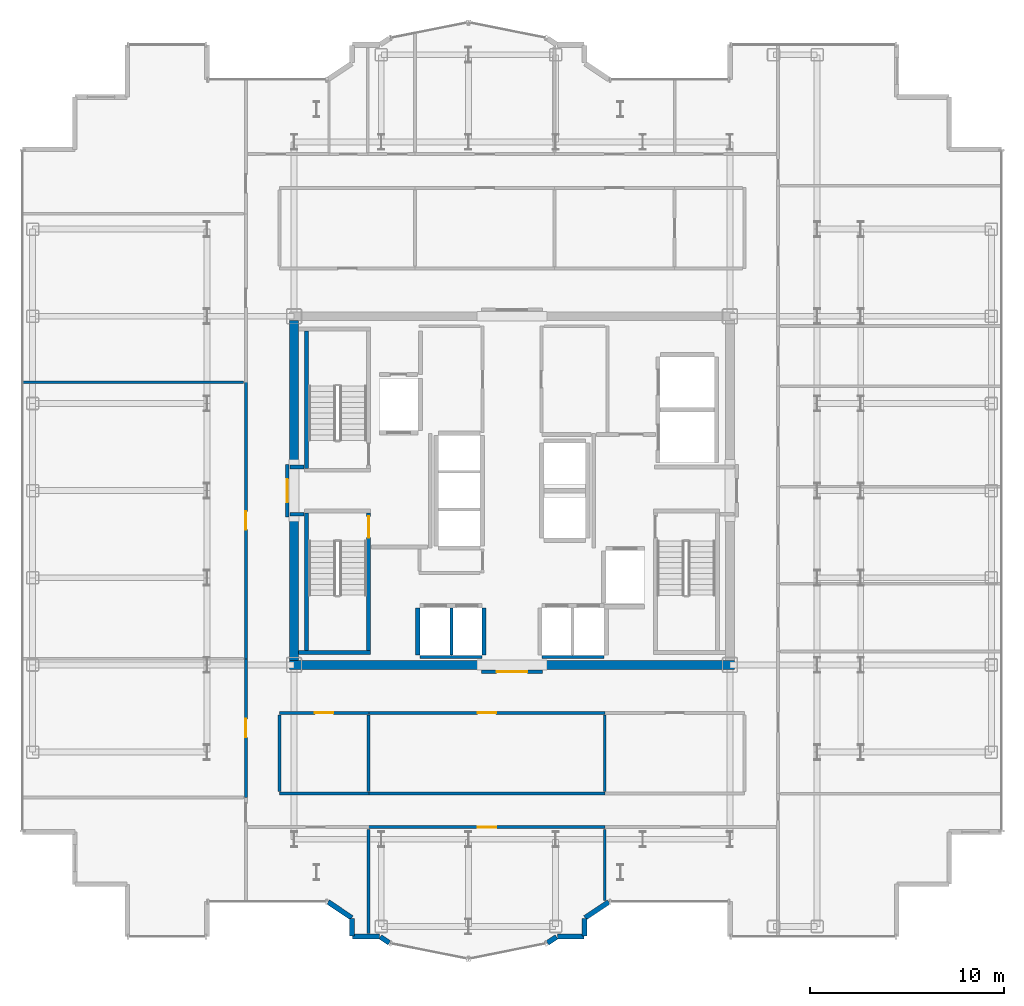
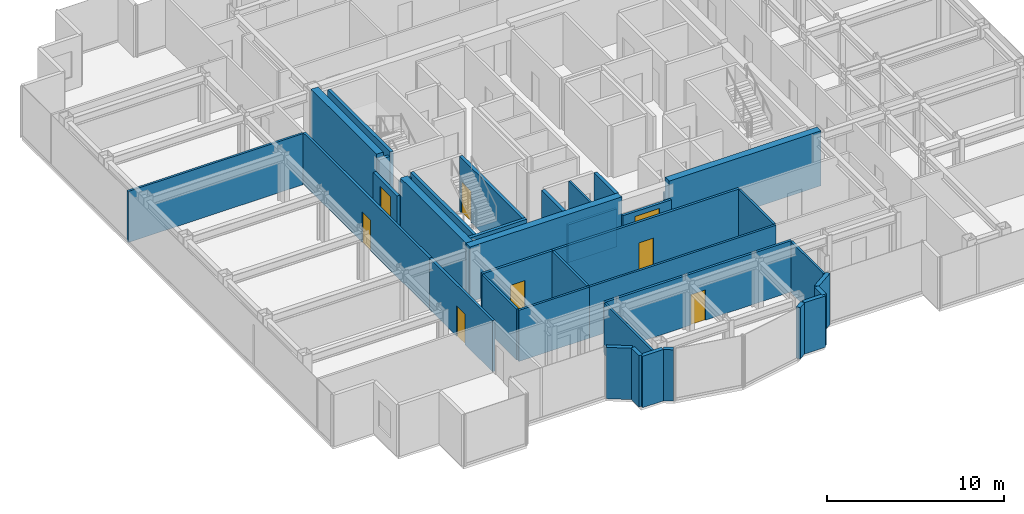
# One storey, part 14 of 20: 38 walls, 8 doors, 8 openings.
"""IFC4 building model written with IfcOpenShell, lengths in metres."""

from ifc_helpers import new_model, si_unit, direction, frame, frame_2d, origin, place, context, subcontext, project, spatial, rectangle, extrude, source, transform, mapped, material, layer, layer_set, type_object, element, fill, save


model = new_model("IFC4")

# Units and contexts
model_context = context("Model", 3, precision=1e-05, world=origin(), true_north=direction((0.0, 1.0)))
body_context = subcontext(model_context, "Body", "Model", "MODEL_VIEW")
ifc_project = project(units=[si_unit("LENGTHUNIT", "METRE"), si_unit("AREAUNIT", "SQUARE_METRE"), si_unit("VOLUMEUNIT", "CUBIC_METRE"), si_unit("PLANEANGLEUNIT", "RADIAN"), si_unit("MASSUNIT", "GRAM", prefix="KILO")], contexts=[model_context])

# Site, building, storey
site_placement = place(None, origin())
site = spatial("IfcSite", under=ifc_project, at=site_placement, CompositionType="ELEMENT")
building_placement = place(site_placement, origin())
building = spatial("IfcBuilding", under=site, at=building_placement, Name="Nefas-Gora Pilgrimage Tower", CompositionType="ELEMENT")
storey_placement = place(building_placement, frame((0.0, 0.0, 244.60009765625)))
storey = spatial("IfcBuildingStorey", under=building, at=storey_placement, Name="L61", CompositionType="ELEMENT", Elevation=244.60009765625)

# Walls
ifc_material_1 = material(Name="Concrete C50/60", Category="concrete")
ifc_layer_1 = layer(ifc_material_1, 0.449951171875)
ifc_layer_set_1 = layer_set([ifc_layer_1], Name="Concrete C50/60")
wall_type_1 = type_object("IfcWallType", Name="SW-CORE-450", PredefinedType="SHEAR", material=ifc_layer_set_1)
shared_shape_1 = source(origin(), body_context, "Body", "SweptSolid", [
    extrude(rectangle(XDim=9.925048828125, YDim=0.449951171875, at=frame_2d((4.96240234375, 0.0))), origin(), (0.0, 0.0, 1.0), 3.7998046875),
])
for number, where, z_axis, x_axis, name in (
    (1, (-11.47509765625, -9.0, 0.0), (0.0, 0.0, 1.0), (1.0, 0.0, 0.0), "L61 Core Shear Wall S-West"),
    (2, (1.550048828125, -9.0, 0.0), (0.0, 0.0, 1.0), (1.0, 0.0, 0.0), "L61 Core Shear Wall S-East"),
):
    element("IfcWall", number, at=place(storey_placement, frame(where, z_axis=z_axis, x_axis=x_axis)), inside=storey, type_object=wall_type_1, Name=name, PredefinedType="SHEAR", context=body_context, shape_type="MappedRepresentation", body=[
        mapped(shared_shape_1, transform((0.0, 0.0, 0.0), x_axis=(1.0, 0.0, 0.0), y_axis=(0.0, 1.0, 0.0), z_axis=(0.0, 0.0, 1.0), scale=1.0)),
    ])
shared_shape_2 = source(origin(), body_context, "Body", "SweptSolid", [
    extrude(rectangle(XDim=7.4248046875, YDim=0.449951171875, at=frame_2d((3.71240234375, 0.0))), origin(), (0.0, 0.0, 1.0), 3.7998046875),
])
for number, where, z_axis, x_axis, name in (
    (3, (-11.25, -8.77490234375, 0.0), (0.0, 0.0, 1.0), (0.0, 1.0, 0.0), "L61 Core Shear Wall W-South"),
    (4, (-11.25, 1.35009765625, 0.0), (0.0, 0.0, 1.0), (0.0, 1.0, 0.0), "L61 Core Shear Wall W-North"),
):
    element("IfcWall", number, at=place(storey_placement, frame(where, z_axis=z_axis, x_axis=x_axis)), inside=storey, type_object=wall_type_1, Name=name, PredefinedType="SHEAR", context=body_context, shape_type="MappedRepresentation", body=[
        mapped(shared_shape_2, transform((0.0, 0.0, 0.0), x_axis=(1.0, 0.0, 0.0), y_axis=(0.0, 1.0, 0.0), z_axis=(0.0, 0.0, 1.0), scale=1.0)),
    ])
ifc_material_2 = material(Name="Precast concrete C40/50", Category="concrete")
ifc_layer_2 = layer(ifc_material_2, 0.260009765625)
ifc_layer_set_2 = layer_set([ifc_layer_2], Name="Precast concrete C40/50")
wall_type_2 = type_object("IfcWallType", Name="EW-PORTAL-260", PredefinedType="SOLIDWALL", material=ifc_layer_set_2)
shared_shape_3 = source(origin(), body_context, "Body", "SweptSolid", [
    extrude(rectangle(XDim=1.468994140625, YDim=0.260009765625, at=frame_2d((0.734375, 0.0))), origin(), (0.0, 0.0, 1.0), 3.5498046875),
])
for number, where, z_axis, x_axis, name in (
    (5, (-9.49462890625, -21.235595703125, 0.0), (0.0, 0.0, 1.0), (0.831461760506, -0.555581983884, 0.0), "L61 Lobe Shoulder Precast Spandrel Pier 29"),
    (6, (3.773193359375, -22.0517578125, 0.0), (0.0, 0.0, 1.0), (0.831461760506, 0.555581983884, 0.0), "L61 Lobe Shoulder Precast Spandrel Pier 36"),
):
    element("IfcWall", number, at=place(storey_placement, frame(where, z_axis=z_axis, x_axis=x_axis)), inside=storey, type_object=wall_type_2, Name=name, PredefinedType="SOLIDWALL", context=body_context, shape_type="MappedRepresentation", body=[
        mapped(shared_shape_3, transform((0.0, 0.0, 0.0), x_axis=(1.0, 0.0, 0.0), y_axis=(0.0, 1.0, 0.0), z_axis=(0.0, 0.0, 1.0), scale=1.0)),
    ])
shared_shape_4 = source(origin(), body_context, "Body", "SweptSolid", [
    extrude(rectangle(XDim=0.896728515625, YDim=0.260009765625, at=frame_2d((0.4482421875, 0.0))), origin(), (0.0, 0.0, 1.0), 3.5498046875),
])
for number, where, z_axis, x_axis, name in (
    (7, (-8.25, -22.09521484375, 0.0), (0.0, 0.0, 1.0), (0.0, -1.0, 0.0), "L61 Lobe Shoulder Precast Spandrel Pier 30"),
    (8, (3.75, -22.991943359375, 0.0), (0.0, 0.0, 1.0), (0.0, 1.0, 0.0), "L61 Lobe Shoulder Precast Spandrel Pier 35"),
):
    element("IfcWall", number, at=place(storey_placement, frame(where, z_axis=z_axis, x_axis=x_axis)), inside=storey, type_object=wall_type_2, Name=name, PredefinedType="SOLIDWALL", context=body_context, shape_type="MappedRepresentation", body=[
        mapped(shared_shape_4, transform((0.0, 0.0, 0.0), x_axis=(1.0, 0.0, 0.0), y_axis=(0.0, 1.0, 0.0), z_axis=(0.0, 0.0, 1.0), scale=1.0)),
    ])
shared_shape_5 = source(origin(), body_context, "Body", "SweptSolid", [
    extrude(rectangle(XDim=1.369873046875, YDim=0.260009765625, at=frame_2d((0.68505859375, 0.0))), origin(), (0.0, 0.0, 1.0), 3.5498046875),
])
for number, where, z_axis, x_axis, name in (
    (9, (-8.221923828125, -23.02001953125, 0.0), (0.0, 0.0, 1.0), (1.0, 0.0, 0.0), "L61 Lobe Shoulder Precast Spandrel Pier 31"),
    (10, (2.35205078125, -23.02001953125, 0.0), (0.0, 0.0, 1.0), (1.0, 0.0, 0.0), "L61 Lobe Shoulder Precast Spandrel Pier 34"),
):
    element("IfcWall", number, at=place(storey_placement, frame(where, z_axis=z_axis, x_axis=x_axis)), inside=storey, type_object=wall_type_2, Name=name, PredefinedType="SOLIDWALL", context=body_context, shape_type="MappedRepresentation", body=[
        mapped(shared_shape_5, transform((0.0, 0.0, 0.0), x_axis=(1.0, 0.0, 0.0), y_axis=(0.0, 1.0, 0.0), z_axis=(0.0, 0.0, 1.0), scale=1.0)),
    ])
shared_shape_6 = source(origin(), body_context, "Body", "SweptSolid", [
    extrude(rectangle(XDim=0.5654296875, YDim=0.260009765625, at=frame_2d((0.28271484375, 0.0))), origin(), (0.0, 0.0, 1.0), 3.5498046875),
])
for number, where, z_axis, x_axis, name in (
    (11, (-6.80078125, -23.03564453125, 0.0), (0.0, 0.0, 1.0), (0.831651492666, -0.555297933317, 0.0), "L61 Lobe Shoulder Precast Spandrel Pier 32"),
    (12, (1.83056640625, -23.349609375, 0.0), (0.0, 0.0, 1.0), (0.831651492666, 0.555297933317, 0.0), "L61 Lobe Shoulder Precast Spandrel Pier 33"),
):
    element("IfcWall", number, at=place(storey_placement, frame(where, z_axis=z_axis, x_axis=x_axis)), inside=storey, type_object=wall_type_2, Name=name, PredefinedType="SOLIDWALL", context=body_context, shape_type="MappedRepresentation", body=[
        mapped(shared_shape_6, transform((0.0, 0.0, 0.0), x_axis=(1.0, 0.0, 0.0), y_axis=(0.0, 1.0, 0.0), z_axis=(0.0, 0.0, 1.0), scale=1.0)),
    ])
ifc_material_3 = material(Name="Concrete C45/55", Category="concrete")
ifc_layer_3 = layer(ifc_material_3, 0.199951171875)
ifc_layer_set_3 = layer_set([ifc_layer_3], Name="Concrete C45/55")
wall_type_3 = type_object("IfcWallType", Name="IW-STAIR-200", PredefinedType="SOLIDWALL", material=ifc_layer_set_3)
shared_shape_7 = source(origin(), body_context, "Body", "SweptSolid", [
    extrude(rectangle(XDim=7.10009765625, YDim=0.199951171875, at=frame_2d((3.550048828125, 0.0))), origin(), (0.0, 0.0, 1.0), 3.7998046875),
])
for number, where, z_axis, x_axis, name in (
    (13, (-10.60009765625, 1.14990234375, 0.0), (0.0, 0.0, 1.0), (0.0, 1.0, 0.0), "L61 Stairwell Shear Wall ST-01-right"),
    (14, (-10.60009765625, -1.14990234375, 0.0), (0.0, 0.0, 1.0), (0.0, -1.0, 0.0), "L61 Stairwell Shear Wall ST-03-left"),
):
    element("IfcWall", number, at=place(storey_placement, frame(where, z_axis=z_axis, x_axis=x_axis)), inside=storey, type_object=wall_type_3, Name=name, PredefinedType="SOLIDWALL", context=body_context, shape_type="MappedRepresentation", body=[
        mapped(shared_shape_7, transform((0.0, 0.0, 0.0), x_axis=(1.0, 0.0, 0.0), y_axis=(0.0, 1.0, 0.0), z_axis=(0.0, 0.0, 1.0), scale=1.0)),
    ])

# Wall, opening, door
wall_1_placement = place(storey_placement, frame((-7.39990234375, -1.14990234375, 0.0), z_axis=(0.0, 0.0, 1.0), x_axis=(0.0, -1.0, 0.0)))
wall_1 = element("IfcWall", 15, at=wall_1_placement, inside=storey, type_object=wall_type_3, Name="L61 Stairwell Shear Wall ST-03-right", PredefinedType="SOLIDWALL", context=body_context, shape_type="MappedRepresentation", body=[
    mapped(shared_shape_7, transform((0.0, 0.0, 0.0), x_axis=(1.0, 0.0, 0.0), y_axis=(0.0, 1.0, 0.0), z_axis=(0.0, 0.0, 1.0), scale=1.0)),
])
opening_1_placement = place(wall_1_placement, frame((0.179931640625, 0.0, 0.0)))
opening_1 = element("IfcOpeningElement", 16, at=opening_1_placement, cuts=wall_1, Name="Opening ID-ST1", PredefinedType="OPENING", context=body_context, shape_type="SweptSolid", body=[
    extrude(rectangle(XDim=1.10009765625, YDim=2.14990234375, at=frame_2d((0.550048828125, 1.074951171875))), frame((0.0, 0.10986328125, 0.0), z_axis=(0.0, -1.0, 0.0), x_axis=(1.0, 0.0, 0.0)), (0.0, 0.0, 1.0), 0.219970703125),
])
ifc_material_4 = material(Name="Painted galvanised steel fire stair door", Category="steel")
door_type_1 = type_object("IfcDoorType", Name="DR-INT-STAIR-1100", OperationType="NOTDEFINED", PredefinedType="DOOR", material=ifc_material_4)
shared_shape_8 = source(origin(), body_context, "Body", "SweptSolid", [
    extrude(rectangle(XDim=1.10009765625, YDim=2.14990234375, at=frame_2d((0.550048828125, 1.074951171875))), frame((0.0, 0.02490234375, 0.0), z_axis=(0.0, -1.0, 0.0), x_axis=(1.0, 0.0, 0.0)), (0.0, 0.0, 1.0), 0.050048828125),
])
door_1_placement = place(opening_1_placement, origin())
door_1 = element("IfcDoor", 17, at=door_1_placement, inside=storey, type_object=door_type_1, Name="L61 Protected Exit Stair Door ST-03", OperationType="SINGLE_SWING_LEFT", OverallHeight=2.14990234375, OverallWidth=1.10009765625, PredefinedType="DOOR", context=body_context, shape_type="MappedRepresentation", body=[
    mapped(shared_shape_8, transform((0.0, 0.0, 0.0), x_axis=(1.0, 0.0, 0.0), y_axis=(0.0, 1.0, 0.0), z_axis=(0.0, 0.0, 1.0), scale=1.0)),
])
fill(opening_1, door_1)

# Walls
shared_shape_9 = source(origin(), body_context, "Body", "SweptSolid", [
    extrude(rectangle(XDim=3.72998046875, YDim=0.199951171875, at=frame_2d((1.864990234375, 0.0))), origin(), (0.0, 0.0, 1.0), 3.7998046875),
])
wall_2_placement = place(storey_placement, frame((-11.030029296875, -8.35009765625, 0.0), z_axis=(0.0, 0.0, 1.0), x_axis=(1.0, 0.0, 0.0)))
element("IfcWall", 18, at=wall_2_placement, inside=storey, type_object=wall_type_3, Name="L61 Stairwell Shear Wall ST-03-far", PredefinedType="SOLIDWALL", context=body_context, shape_type="MappedRepresentation", body=[
    mapped(shared_shape_9, transform((0.0, 0.0, 0.0), x_axis=(1.0, 0.0, 0.0), y_axis=(0.0, 1.0, 0.0), z_axis=(0.0, 0.0, 1.0), scale=1.0)),
])
ifc_material_5 = material(Name="Concrete C40/50", Category="concrete")
ifc_layer_4 = layer(ifc_material_5, 0.219970703125)
ifc_layer_set_4 = layer_set([ifc_layer_4], Name="Concrete C40/50")
wall_type_4 = type_object("IfcWallType", Name="IW-SHAFT-220", PredefinedType="SOLIDWALL", material=ifc_layer_set_4)
shared_shape_10 = source(origin(), body_context, "Body", "SweptSolid", [
    extrude(rectangle(XDim=2.429931640625, YDim=0.219970703125, at=frame_2d((1.21484375, 0.0))), origin(), (0.0, 0.0, 1.0), 3.534912109375),
])
for number, where, z_axis, x_axis, name in (
    (19, (-4.860107421875, -6.06005859375, 0.0), (0.0, 0.0, 1.0), (0.0, -1.0, 0.0), "L61 Hoistway Wall PL2-W-W"),
    (20, (-1.43994140625, -8.489990234375, 0.0), (0.0, 0.0, 1.0), (0.0, 1.0, 0.0), "L61 Hoistway Wall PL2-W-E"),
):
    element("IfcWall", number, at=place(storey_placement, frame(where, z_axis=z_axis, x_axis=x_axis)), inside=storey, type_object=wall_type_4, Name=name, PredefinedType="SOLIDWALL", context=body_context, shape_type="MappedRepresentation", body=[
        mapped(shared_shape_10, transform((0.0, 0.0, 0.0), x_axis=(1.0, 0.0, 0.0), y_axis=(0.0, 1.0, 0.0), z_axis=(0.0, 0.0, 1.0), scale=1.0)),
    ])
ifc_material_6 = material(Name="Gypsum twin-stud partition")
ifc_layer_5 = layer(ifc_material_6, 0.139892578125)
ifc_layer_set_5 = layer_set([ifc_layer_5], Name="Gypsum twin-stud partition")
wall_type_5 = type_object("IfcWallType", Name="IW-UNIT-140", PredefinedType="PARTITIONING", material=ifc_layer_set_5)
shared_shape_11 = source(origin(), body_context, "Body", "SweptSolid", [
    extrude(rectangle(XDim=2.429931640625, YDim=0.139892578125, at=frame_2d((1.21484375, 0.0))), origin(), (0.0, 0.0, 1.0), 3.534912109375),
])
wall_3_placement = place(storey_placement, frame((-3.125, -8.489990234375, 0.0), z_axis=(0.0, 0.0, 1.0), x_axis=(0.0, 1.0, 0.0)))
element("IfcWall", 21, at=wall_3_placement, inside=storey, type_object=wall_type_5, Name="L61 Hoistway Wall PL2-W-DIV", PredefinedType="PARTITIONING", context=body_context, shape_type="MappedRepresentation", body=[
    mapped(shared_shape_11, transform((0.0, 0.0, 0.0), x_axis=(1.0, 0.0, 0.0), y_axis=(0.0, 1.0, 0.0), z_axis=(0.0, 0.0, 1.0), scale=1.0)),
])
ifc_material_7 = material(Name="Gypsum acoustic stud partition")
ifc_layer_6 = layer(ifc_material_7, 0.159912109375)
ifc_layer_set_6 = layer_set([ifc_layer_6], Name="Gypsum acoustic stud partition")
wall_type_6 = type_object("IfcWallType", Name="IW-CORR-160", PredefinedType="PARTITIONING", material=ifc_layer_set_6)
shared_shape_12 = source(origin(), body_context, "Body", "SweptSolid", [
    extrude(rectangle(XDim=3.199951171875, YDim=0.159912109375, at=frame_2d((1.60009765625, 0.0))), origin(), (0.0, 0.0, 1.0), 2.625),
])
for number, where, z_axis, x_axis, name in (
    (22, (-4.75, -8.580078125, 0.0), (0.0, 0.0, 1.0), (1.0, 0.0, 0.0), "L61 Hoistway Wall PL2-W-S"),
    (23, (1.550048828125, -8.580078125, 0.0), (0.0, 0.0, 1.0), (1.0, 0.0, 0.0), "L61 Hoistway Wall PL2-E-S"),
):
    element("IfcWall", number, at=place(storey_placement, frame(where, z_axis=z_axis, x_axis=x_axis)), inside=storey, type_object=wall_type_6, Name=name, PredefinedType="PARTITIONING", context=body_context, shape_type="MappedRepresentation", body=[
        mapped(shared_shape_12, transform((0.0, 0.0, 0.0), x_axis=(1.0, 0.0, 0.0), y_axis=(0.0, 1.0, 0.0), z_axis=(0.0, 0.0, 1.0), scale=1.0)),
    ])
ifc_material_8 = material(Name="Gypsum fire-rated shaftwall")
ifc_layer_7 = layer(ifc_material_8, 0.199951171875)
ifc_layer_set_7 = layer_set([ifc_layer_7], Name="Gypsum fire-rated shaftwall")
wall_type_7 = type_object("IfcWallType", Name="IW-FFLOB-200", PredefinedType="PARTITIONING", material=ifc_layer_set_7)
shared_shape_13 = source(origin(), body_context, "Body", "SweptSolid", [
    extrude(rectangle(XDim=0.719970703125, YDim=0.199951171875, at=frame_2d((0.35986328125, 0.0))), origin(), (0.0, 0.0, 1.0), 3.534912109375),
])
for number, where, z_axis, x_axis, name in (
    (24, (-11.4599609375, 1.219970703125, 0.0), (0.0, 0.0, 1.0), (1.0, 0.0, 0.0), "L61 FF Lobby West Throat N Wall 7"),
    (25, (-11.4599609375, -1.219970703125, 0.0), (0.0, 0.0, 1.0), (1.0, 0.0, 0.0), "L61 FF Lobby West Throat S Wall 8"),
):
    element("IfcWall", number, at=place(storey_placement, frame(where, z_axis=z_axis, x_axis=x_axis)), inside=storey, type_object=wall_type_7, Name=name, PredefinedType="PARTITIONING", context=body_context, shape_type="MappedRepresentation", body=[
        mapped(shared_shape_13, transform((0.0, 0.0, 0.0), x_axis=(1.0, 0.0, 0.0), y_axis=(0.0, 1.0, 0.0), z_axis=(0.0, 0.0, 1.0), scale=1.0)),
    ])
shared_shape_14 = source(origin(), body_context, "Body", "SweptSolid", [
    extrude(rectangle(XDim=11.429931640625, YDim=0.139892578125, at=frame_2d((5.71484375, 0.0))), origin(), (0.0, 0.0, 1.0), 3.534912109375),
])
wall_4_placement = place(storey_placement, frame((-25.2900390625, 5.594970703125, 0.0), z_axis=(0.0, 0.0, 1.0), x_axis=(1.0, 0.0, 0.0)))
element("IfcWall", 26, at=wall_4_placement, inside=storey, type_object=wall_type_5, Name="L61 Pilgrim Floor Concierge Foyer Partition Wall 30", PredefinedType="PARTITIONING", context=body_context, shape_type="MappedRepresentation", body=[
    mapped(shared_shape_14, transform((0.0, 0.0, 0.0), x_axis=(1.0, 0.0, 0.0), y_axis=(0.0, 1.0, 0.0), z_axis=(0.0, 0.0, 1.0), scale=1.0)),
])
shared_shape_15 = source(origin(), body_context, "Body", "SweptSolid", [
    extrude(rectangle(XDim=3.929931640625, YDim=0.139892578125, at=frame_2d((1.96484375, 0.0))), origin(), (0.0, 0.0, 1.0), 3.534912109375),
])
for number, where, z_axis, x_axis, name in (
    (27, (-12.0, -15.52001953125, 0.0), (0.0, 0.0, 1.0), (0.0, 1.0, 0.0), "L61 Pilgrim Contemplative Lounge Partition Wall 77"),
    (28, (-7.405029296875, -15.52001953125, 0.0), (0.0, 0.0, 1.0), (0.0, 1.0, 0.0), "L61 Pilgrim Contemplative Lounge Partition Wall 78"),
    (29, (4.794921875, -15.52001953125, 0.0), (0.0, 0.0, 1.0), (0.0, 1.0, 0.0), "L61 Pilgrim Contemplative Lounge Partition Wall 83"),
):
    element("IfcWall", number, at=place(storey_placement, frame(where, z_axis=z_axis, x_axis=x_axis)), inside=storey, type_object=wall_type_5, Name=name, PredefinedType="PARTITIONING", context=body_context, shape_type="MappedRepresentation", body=[
        mapped(shared_shape_15, transform((0.0, 0.0, 0.0), x_axis=(1.0, 0.0, 0.0), y_axis=(0.0, 1.0, 0.0), z_axis=(0.0, 0.0, 1.0), scale=1.0)),
    ])

# Wall, opening, door
shared_shape_16 = source(origin(), body_context, "Body", "SweptSolid", [
    extrude(rectangle(XDim=2.7001953125, YDim=0.199951171875, at=frame_2d((1.35009765625, 0.0))), origin(), (0.0, 0.0, 1.0), 2.625),
])
wall_5_placement = place(storey_placement, frame((-11.60009765625, -1.35009765625, 0.0), z_axis=(0.0, 0.0, 1.0), x_axis=(0.0, 1.0, 0.0)))
wall_5 = element("IfcWall", 30, at=wall_5_placement, inside=storey, type_object=wall_type_7, Name="L61 FF Lobby West Portal Wall 4", PredefinedType="PARTITIONING", context=body_context, shape_type="MappedRepresentation", body=[
    mapped(shared_shape_16, transform((0.0, 0.0, 0.0), x_axis=(1.0, 0.0, 0.0), y_axis=(0.0, 1.0, 0.0), z_axis=(0.0, 0.0, 1.0), scale=1.0)),
])
opening_2_placement = place(wall_5_placement, frame((0.75, 0.0, 0.0)))
opening_2 = element("IfcOpeningElement", 31, at=opening_2_placement, cuts=wall_5, Name="Opening ID-FF1", PredefinedType="OPENING", context=body_context, shape_type="SweptSolid", body=[
    extrude(rectangle(XDim=1.199951171875, YDim=2.14990234375, at=frame_2d((0.60009765625, 1.074951171875))), frame((0.0, 0.10986328125, 0.0), z_axis=(0.0, -1.0, 0.0), x_axis=(1.0, 0.0, 0.0)), (0.0, 0.0, 1.0), 0.219970703125),
])
ifc_material_9 = material(Name="Smoke-sealed steel firefighting lobby door", Category="steel")
door_type_2 = type_object("IfcDoorType", Name="DR-INT-FFLOB-1200", OperationType="NOTDEFINED", PredefinedType="DOOR", material=ifc_material_9)
shared_shape_17 = source(origin(), body_context, "Body", "SweptSolid", [
    extrude(rectangle(XDim=1.199951171875, YDim=2.14990234375, at=frame_2d((0.60009765625, 1.074951171875))), frame((0.0, 0.02490234375, 0.0), z_axis=(0.0, -1.0, 0.0), x_axis=(1.0, 0.0, 0.0)), (0.0, 0.0, 1.0), 0.050048828125),
])
door_2_placement = place(opening_2_placement, origin())
door_2 = element("IfcDoor", 32, at=door_2_placement, inside=storey, type_object=door_type_2, Name="L61 FF Lobby West Portal Door 2", OperationType="SINGLE_SWING_RIGHT", OverallHeight=2.14990234375, OverallWidth=1.199951171875, PredefinedType="DOOR", context=body_context, shape_type="MappedRepresentation", body=[
    mapped(shared_shape_17, transform((0.0, 0.0, 0.0), x_axis=(1.0, 0.0, 0.0), y_axis=(0.0, 1.0, 0.0), z_axis=(0.0, 0.0, 1.0), scale=1.0)),
])
fill(opening_2, door_2)

shared_shape_18 = source(origin(), body_context, "Body", "SweptSolid", [
    extrude(rectangle(XDim=3.16015625, YDim=0.159912109375, at=frame_2d((1.580078125, 0.0))), origin(), (0.0, 0.0, 1.0), 2.625),
])
wall_6_placement = place(storey_placement, frame((-1.580078125, -9.35009765625, 0.0), z_axis=(0.0, 0.0, 1.0), x_axis=(1.0, 0.0, 0.0)))
wall_6 = element("IfcWall", 33, at=wall_6_placement, inside=storey, type_object=wall_type_6, Name="L61 Central Lift Lobby South Portal Wall 16", PredefinedType="PARTITIONING", context=body_context, shape_type="MappedRepresentation", body=[
    mapped(shared_shape_18, transform((0.0, 0.0, 0.0), x_axis=(1.0, 0.0, 0.0), y_axis=(0.0, 1.0, 0.0), z_axis=(0.0, 0.0, 1.0), scale=1.0)),
])
opening_3_placement = place(wall_6_placement, frame((0.780029296875, 0.0, 0.0)))
opening_3 = element("IfcOpeningElement", 34, at=opening_3_placement, cuts=wall_6, Name="Opening ID-HL1", PredefinedType="OPENING", context=body_context, shape_type="SweptSolid", body=[
    extrude(rectangle(XDim=1.60009765625, YDim=2.300048828125, at=frame_2d((0.800048828125, 1.14990234375))), frame((0.0, 0.08984375, 0.0), z_axis=(0.0, -1.0, 0.0), x_axis=(1.0, 0.0, 0.0)), (0.0, 0.0, 1.0), 0.179931640625),
])
ifc_material_10 = material(Name="Double acoustic timber assembly hall door", Category="wood")
door_type_3 = type_object("IfcDoorType", Name="DR-INT-HALL-1600", OperationType="DOUBLE_DOOR_SINGLE_SWING", PredefinedType="DOOR", material=ifc_material_10)
shared_shape_19 = source(origin(), body_context, "Body", "SweptSolid", [
    extrude(rectangle(XDim=1.60009765625, YDim=2.300048828125, at=frame_2d((0.800048828125, 1.14990234375))), frame((0.0, 0.02490234375, 0.0), z_axis=(0.0, -1.0, 0.0), x_axis=(1.0, 0.0, 0.0)), (0.0, 0.0, 1.0), 0.050048828125),
])
door_3_placement = place(opening_3_placement, origin())
door_3 = element("IfcDoor", 35, at=door_3_placement, inside=storey, type_object=door_type_3, Name="L61 Central Lift Lobby South Portal Door 6", OperationType="DOUBLE_DOOR_SINGLE_SWING", OverallHeight=2.300048828125, OverallWidth=1.60009765625, PredefinedType="DOOR", context=body_context, shape_type="MappedRepresentation", body=[
    mapped(shared_shape_19, transform((0.0, 0.0, 0.0), x_axis=(1.0, 0.0, 0.0), y_axis=(0.0, 1.0, 0.0), z_axis=(0.0, 0.0, 1.0), scale=1.0)),
])
fill(opening_3, door_3)

shared_shape_20 = source(origin(), body_context, "Body", "SweptSolid", [
    extrude(rectangle(XDim=4.614990234375, YDim=0.159912109375, at=frame_2d((2.3076171875, 0.0))), origin(), (0.0, 0.0, 1.0), 3.534912109375),
])
wall_7_placement = place(storey_placement, frame((-12.010009765625, -11.469970703125, 0.0), z_axis=(0.0, 0.0, 1.0), x_axis=(1.0, 0.0, 0.0)))
wall_7 = element("IfcWall", 36, at=wall_7_placement, inside=storey, type_object=wall_type_6, Name="L61 Pilgrim Contemplative Lounge Partition Wall 75", PredefinedType="PARTITIONING", context=body_context, shape_type="MappedRepresentation", body=[
    mapped(shared_shape_20, transform((0.0, 0.0, 0.0), x_axis=(1.0, 0.0, 0.0), y_axis=(0.0, 1.0, 0.0), z_axis=(0.0, 0.0, 1.0), scale=1.0)),
])
opening_4_placement = place(wall_7_placement, frame((1.83251953125, 0.0, 0.0)))
opening_4 = element("IfcOpeningElement", 37, at=opening_4_placement, cuts=wall_7, Name="Opening ID-GR1", PredefinedType="OPENING", context=body_context, shape_type="SweptSolid", body=[
    extrude(rectangle(XDim=0.949951171875, YDim=2.10009765625, at=frame_2d((0.47509765625, 1.050048828125))), frame((0.0, 0.08984375, 0.0), z_axis=(0.0, -1.0, 0.0), x_axis=(1.0, 0.0, 0.0)), (0.0, 0.0, 1.0), 0.179931640625),
])
ifc_material_11 = material(Name="Solid core oak fire-rated guest entrance door")
door_type_4 = type_object("IfcDoorType", Name="DR-INT-GUEST-950", OperationType="NOTDEFINED", PredefinedType="DOOR", material=ifc_material_11)
shared_shape_21 = source(origin(), body_context, "Body", "SweptSolid", [
    extrude(rectangle(XDim=0.949951171875, YDim=2.10009765625, at=frame_2d((0.47509765625, 1.050048828125))), frame((0.0, 0.02490234375, 0.0), z_axis=(0.0, -1.0, 0.0), x_axis=(1.0, 0.0, 0.0)), (0.0, 0.0, 1.0), 0.050048828125),
])
door_4_placement = place(opening_4_placement, origin())
door_4 = element("IfcDoor", 38, at=door_4_placement, inside=storey, type_object=door_type_4, Name="L61 Pilgrim Contemplative Lounge Door 34", OperationType="SINGLE_SWING_RIGHT", OverallHeight=2.10009765625, OverallWidth=0.949951171875, PredefinedType="DOOR", context=body_context, shape_type="MappedRepresentation", body=[
    mapped(shared_shape_21, transform((0.0, 0.0, 0.0), x_axis=(1.0, 0.0, 0.0), y_axis=(0.0, 1.0, 0.0), z_axis=(0.0, 0.0, 1.0), scale=1.0)),
])
fill(opening_4, door_4)

# Walls
shared_shape_22 = source(origin(), body_context, "Body", "SweptSolid", [
    extrude(rectangle(XDim=4.614990234375, YDim=0.139892578125, at=frame_2d((2.3076171875, 0.0))), origin(), (0.0, 0.0, 1.0), 3.534912109375),
])
wall_8_placement = place(storey_placement, frame((-12.010009765625, -15.6298828125, 0.0), z_axis=(0.0, 0.0, 1.0), x_axis=(1.0, 0.0, 0.0)))
element("IfcWall", 39, at=wall_8_placement, inside=storey, type_object=wall_type_5, Name="L61 Pilgrim Contemplative Lounge Partition Wall 76", PredefinedType="PARTITIONING", context=body_context, shape_type="MappedRepresentation", body=[
    mapped(shared_shape_22, transform((0.0, 0.0, 0.0), x_axis=(1.0, 0.0, 0.0), y_axis=(0.0, 1.0, 0.0), z_axis=(0.0, 0.0, 1.0), scale=1.0)),
])
shared_shape_23 = source(origin(), body_context, "Body", "SweptSolid", [
    extrude(rectangle(XDim=5.360107421875, YDim=0.139892578125, at=frame_2d((2.68017578125, 0.0))), origin(), (0.0, 0.0, 1.0), 3.534912109375),
])
wall_9_placement = place(storey_placement, frame((-7.405029296875, -22.85009765625, 0.0), z_axis=(0.0, 0.0, 1.0), x_axis=(0.0, 1.0, 0.0)))
element("IfcWall", 40, at=wall_9_placement, inside=storey, type_object=wall_type_5, Name="L61 Pilgrim Contemplative Lounge Partition Wall 74", PredefinedType="PARTITIONING", context=body_context, shape_type="MappedRepresentation", body=[
    mapped(shared_shape_23, transform((0.0, 0.0, 0.0), x_axis=(1.0, 0.0, 0.0), y_axis=(0.0, 1.0, 0.0), z_axis=(0.0, 0.0, 1.0), scale=1.0)),
])

# Wall, opening, door
shared_shape_24 = source(origin(), body_context, "Body", "SweptSolid", [
    extrude(rectangle(XDim=14.29248046875, YDim=0.159912109375, at=frame_2d((7.146240234375, 0.0))), origin(), (0.0, 0.0, 1.0), 3.534912109375),
])
wall_10_placement = place(storey_placement, frame((-13.739990234375, -8.6875, 0.0), z_axis=(0.0, 0.0, 1.0), x_axis=(0.0, 1.0, 0.0)))
wall_10 = element("IfcWall", 41, at=wall_10_placement, inside=storey, type_object=wall_type_6, Name="L61 Pilgrim Floor Concierge Foyer Partition Wall 28", PredefinedType="PARTITIONING", context=body_context, shape_type="MappedRepresentation", body=[
    mapped(shared_shape_24, transform((0.0, 0.0, 0.0), x_axis=(1.0, 0.0, 0.0), y_axis=(0.0, 1.0, 0.0), z_axis=(0.0, 0.0, 1.0), scale=1.0)),
])
opening_5_placement = place(wall_10_placement, frame((6.67138671875, 0.0, 0.0)))
opening_5 = element("IfcOpeningElement", 42, at=opening_5_placement, cuts=wall_10, Name="Opening ID-GR1", PredefinedType="OPENING", context=body_context, shape_type="SweptSolid", body=[
    extrude(rectangle(XDim=0.949951171875, YDim=2.10009765625, at=frame_2d((0.47509765625, 1.050048828125))), frame((0.0, 0.08984375, 0.0), z_axis=(0.0, -1.0, 0.0), x_axis=(1.0, 0.0, 0.0)), (0.0, 0.0, 1.0), 0.179931640625),
])
door_5_placement = place(opening_5_placement, origin())
door_5 = element("IfcDoor", 43, at=door_5_placement, inside=storey, type_object=door_type_4, Name="L61 Pilgrim Floor Concierge Foyer Door 11", OperationType="SINGLE_SWING_LEFT", OverallHeight=2.10009765625, OverallWidth=0.949951171875, PredefinedType="DOOR", context=body_context, shape_type="MappedRepresentation", body=[
    mapped(shared_shape_21, transform((0.0, 0.0, 0.0), x_axis=(1.0, 0.0, 0.0), y_axis=(0.0, 1.0, 0.0), z_axis=(0.0, 0.0, 1.0), scale=1.0)),
])
fill(opening_5, door_5)

shared_shape_25 = source(origin(), body_context, "Body", "SweptSolid", [
    extrude(rectangle(XDim=7.146240234375, YDim=0.159912109375, at=frame_2d((3.5732421875, 0.0))), origin(), (0.0, 0.0, 1.0), 3.534912109375),
])
wall_11_placement = place(storey_placement, frame((-13.739990234375, -15.833740234375, 0.0), z_axis=(0.0, 0.0, 1.0), x_axis=(0.0, 1.0, 0.0)))
wall_11 = element("IfcWall", 44, at=wall_11_placement, inside=storey, type_object=wall_type_6, Name="L61 Pilgrim Floor Concierge Foyer Partition Wall 33", PredefinedType="PARTITIONING", context=body_context, shape_type="MappedRepresentation", body=[
    mapped(shared_shape_25, transform((0.0, 0.0, 0.0), x_axis=(1.0, 0.0, 0.0), y_axis=(0.0, 1.0, 0.0), z_axis=(0.0, 0.0, 1.0), scale=1.0)),
])
opening_6_placement = place(wall_11_placement, frame((3.09814453125, 0.0, 0.0)))
opening_6 = element("IfcOpeningElement", 45, at=opening_6_placement, cuts=wall_11, Name="Opening ID-GR1", PredefinedType="OPENING", context=body_context, shape_type="SweptSolid", body=[
    extrude(rectangle(XDim=0.949951171875, YDim=2.10009765625, at=frame_2d((0.47509765625, 1.050048828125))), frame((0.0, 0.08984375, 0.0), z_axis=(0.0, -1.0, 0.0), x_axis=(1.0, 0.0, 0.0)), (0.0, 0.0, 1.0), 0.179931640625),
])
door_6_placement = place(opening_6_placement, origin())
door_6 = element("IfcDoor", 46, at=door_6_placement, inside=storey, type_object=door_type_4, Name="L61 Pilgrim Floor Concierge Foyer Door 13", OperationType="SINGLE_SWING_LEFT", OverallHeight=2.10009765625, OverallWidth=0.949951171875, PredefinedType="DOOR", context=body_context, shape_type="MappedRepresentation", body=[
    mapped(shared_shape_21, transform((0.0, 0.0, 0.0), x_axis=(1.0, 0.0, 0.0), y_axis=(0.0, 1.0, 0.0), z_axis=(0.0, 0.0, 1.0), scale=1.0)),
])
fill(opening_6, door_6)

shared_shape_26 = source(origin(), body_context, "Body", "SweptSolid", [
    extrude(rectangle(XDim=12.2099609375, YDim=0.159912109375, at=frame_2d((6.10498046875, 0.0))), origin(), (0.0, 0.0, 1.0), 3.534912109375),
])
wall_12_placement = place(storey_placement, frame((-7.405029296875, -17.3701171875, 0.0), z_axis=(0.0, 0.0, 1.0), x_axis=(1.0, 0.0, 0.0)))
wall_12 = element("IfcWall", 47, at=wall_12_placement, inside=storey, type_object=wall_type_6, Name="L61 Pilgrim Contemplative Lounge Partition Wall 79", PredefinedType="PARTITIONING", context=body_context, shape_type="MappedRepresentation", body=[
    mapped(shared_shape_26, transform((0.0, 0.0, 0.0), x_axis=(1.0, 0.0, 0.0), y_axis=(0.0, 1.0, 0.0), z_axis=(0.0, 0.0, 1.0), scale=1.0)),
])
opening_7_placement = place(wall_12_placement, frame((5.6298828125, 0.0, 0.0)))
opening_7 = element("IfcOpeningElement", 48, at=opening_7_placement, cuts=wall_12, Name="Opening ID-GR1", PredefinedType="OPENING", context=body_context, shape_type="SweptSolid", body=[
    extrude(rectangle(XDim=0.949951171875, YDim=2.10009765625, at=frame_2d((0.47509765625, 1.050048828125))), frame((0.0, 0.08984375, 0.0), z_axis=(0.0, -1.0, 0.0), x_axis=(1.0, 0.0, 0.0)), (0.0, 0.0, 1.0), 0.179931640625),
])
door_7_placement = place(opening_7_placement, origin())
door_7 = element("IfcDoor", 49, at=door_7_placement, inside=storey, type_object=door_type_4, Name="L61 Pilgrim Contemplative Lounge Door 35", OperationType="SINGLE_SWING_LEFT", OverallHeight=2.10009765625, OverallWidth=0.949951171875, PredefinedType="DOOR", context=body_context, shape_type="MappedRepresentation", body=[
    mapped(shared_shape_21, transform((0.0, 0.0, 0.0), x_axis=(1.0, 0.0, 0.0), y_axis=(0.0, 1.0, 0.0), z_axis=(0.0, 0.0, 1.0), scale=1.0)),
])
fill(opening_7, door_7)

wall_13_placement = place(storey_placement, frame((-7.405029296875, -11.469970703125, 0.0), z_axis=(0.0, 0.0, 1.0), x_axis=(1.0, 0.0, 0.0)))
wall_13 = element("IfcWall", 50, at=wall_13_placement, inside=storey, type_object=wall_type_6, Name="L61 Pilgrim Contemplative Lounge Partition Wall 81", PredefinedType="PARTITIONING", context=body_context, shape_type="MappedRepresentation", body=[
    mapped(shared_shape_26, transform((0.0, 0.0, 0.0), x_axis=(1.0, 0.0, 0.0), y_axis=(0.0, 1.0, 0.0), z_axis=(0.0, 0.0, 1.0), scale=1.0)),
])
opening_8_placement = place(wall_13_placement, frame((5.6298828125, 0.0, 0.0)))
opening_8 = element("IfcOpeningElement", 51, at=opening_8_placement, cuts=wall_13, Name="Opening ID-GR1", PredefinedType="OPENING", context=body_context, shape_type="SweptSolid", body=[
    extrude(rectangle(XDim=0.949951171875, YDim=2.10009765625, at=frame_2d((0.47509765625, 1.050048828125))), frame((0.0, 0.08984375, 0.0), z_axis=(0.0, -1.0, 0.0), x_axis=(1.0, 0.0, 0.0)), (0.0, 0.0, 1.0), 0.179931640625),
])
door_8_placement = place(opening_8_placement, origin())
door_8 = element("IfcDoor", 52, at=door_8_placement, inside=storey, type_object=door_type_4, Name="L61 Pilgrim Contemplative Lounge Door 36", OperationType="SINGLE_SWING_RIGHT", OverallHeight=2.10009765625, OverallWidth=0.949951171875, PredefinedType="DOOR", context=body_context, shape_type="MappedRepresentation", body=[
    mapped(shared_shape_21, transform((0.0, 0.0, 0.0), x_axis=(1.0, 0.0, 0.0), y_axis=(0.0, 1.0, 0.0), z_axis=(0.0, 0.0, 1.0), scale=1.0)),
])
fill(opening_8, door_8)

# Walls
shared_shape_27 = source(origin(), body_context, "Body", "SweptSolid", [
    extrude(rectangle(XDim=3.677001953125, YDim=0.139892578125, at=frame_2d((1.83837890625, 0.0))), origin(), (0.0, 0.0, 1.0), 3.534912109375),
])
wall_14_placement = place(storey_placement, frame((4.794921875, -21.1669921875, 0.0), z_axis=(0.0, 0.0, 1.0), x_axis=(0.0, 1.0, 0.0)))
element("IfcWall", 53, at=wall_14_placement, inside=storey, type_object=wall_type_5, Name="L61 Pilgrim Contemplative Lounge Partition Wall 80", PredefinedType="PARTITIONING", context=body_context, shape_type="MappedRepresentation", body=[
    mapped(shared_shape_27, transform((0.0, 0.0, 0.0), x_axis=(1.0, 0.0, 0.0), y_axis=(0.0, 1.0, 0.0), z_axis=(0.0, 0.0, 1.0), scale=1.0)),
])
shared_shape_28 = source(origin(), body_context, "Body", "SweptSolid", [
    extrude(rectangle(XDim=12.2099609375, YDim=0.139892578125, at=frame_2d((6.10498046875, 0.0))), origin(), (0.0, 0.0, 1.0), 3.534912109375),
])
wall_15_placement = place(storey_placement, frame((-7.405029296875, -15.6298828125, 0.0), z_axis=(0.0, 0.0, 1.0), x_axis=(1.0, 0.0, 0.0)))
element("IfcWall", 54, at=wall_15_placement, inside=storey, type_object=wall_type_5, Name="L61 Pilgrim Contemplative Lounge Partition Wall 82", PredefinedType="PARTITIONING", context=body_context, shape_type="MappedRepresentation", body=[
    mapped(shared_shape_28, transform((0.0, 0.0, 0.0), x_axis=(1.0, 0.0, 0.0), y_axis=(0.0, 1.0, 0.0), z_axis=(0.0, 0.0, 1.0), scale=1.0)),
])

save(model, "model.ifc")
